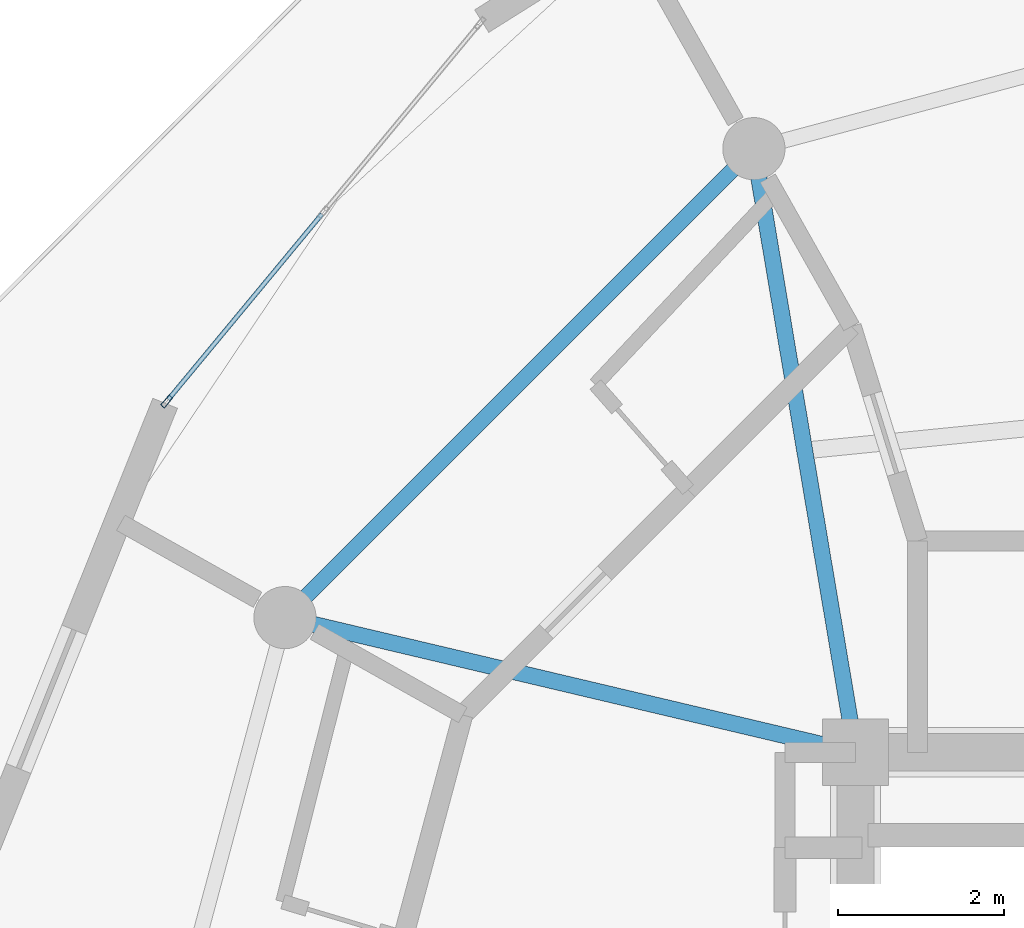
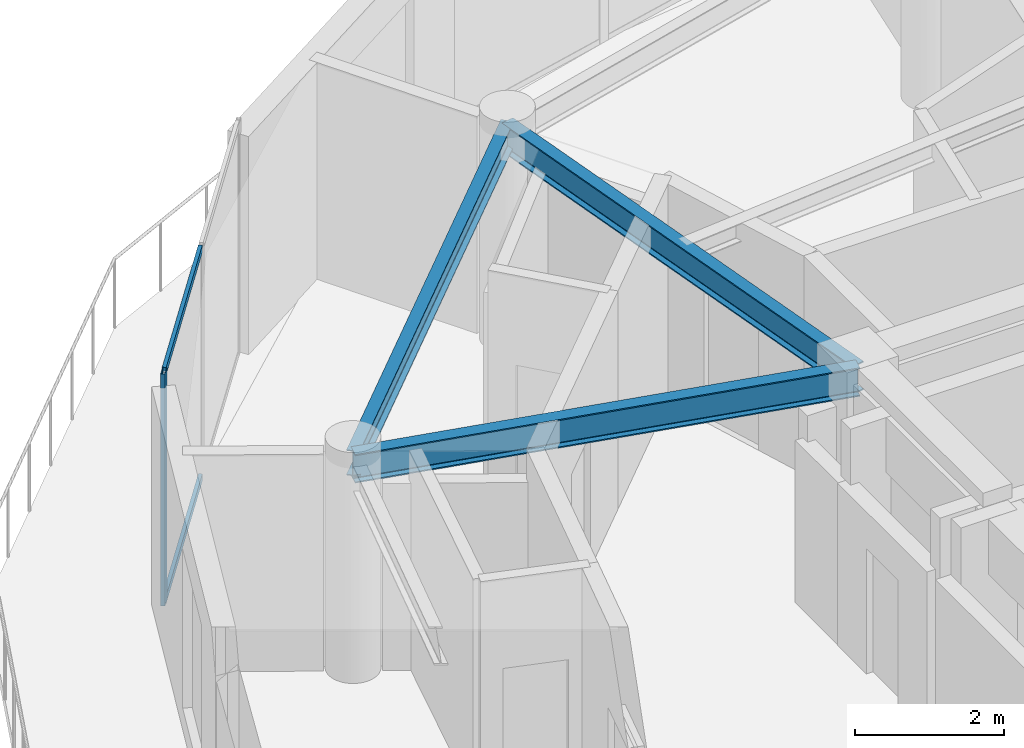
# One storey, part 6 of 19: 3 beams, 3 members, 1 element without a shape of its own.
"""IFC4 building model written with IfcOpenShell, lengths in metres."""

from ifc_helpers import new_model, si_unit, direction, frame, origin, origin_2d, place, context, subcontext, project, spatial, hollow_rectangle, i_section, extrude, source, transform, mapped, material, layer, layer_set, material_profile, profile_set, type_object, element, aggregate, save


model = new_model("IFC4")

# Units and contexts
model_context = context("Model", 3, precision=1e-05, world=origin(), true_north=direction((0.0, 1.0)))
body_context = subcontext(model_context, "Body", "Model", "MODEL_VIEW")
ifc_project = project(units=[si_unit("LENGTHUNIT", "METRE"), si_unit("AREAUNIT", "SQUARE_METRE"), si_unit("VOLUMEUNIT", "CUBIC_METRE"), si_unit("PLANEANGLEUNIT", "RADIAN"), si_unit("MASSUNIT", "GRAM", prefix="KILO")], contexts=[model_context])

# Site, building, storey
site_placement = place(None, origin())
site = spatial("IfcSite", under=ifc_project, at=site_placement, CompositionType="ELEMENT")
building_placement = place(site_placement, origin())
building = spatial("IfcBuilding", under=site, at=building_placement, Name="Solvirekh Grand Hotel", CompositionType="ELEMENT")
storey_placement = place(building_placement, frame((0.0, 0.0, 266.800048828125)))
storey = spatial("IfcBuildingStorey", under=building, at=storey_placement, Name="L69", CompositionType="ELEMENT", Elevation=266.800048828125)

# Beams
ifc_material_1 = material(Name="Steel S355", Category="steel")
ifc_material_profile_1 = material_profile(ifc_material_1, i_section(OverallWidth=0.194091796875, OverallDepth=0.468994140625, WebThickness=0.010986328125, FlangeThickness=0.01904296875, FilletRadius=0.012939453125, at=origin_2d()), Name="W460X106")
ifc_profile_set_1 = profile_set([ifc_material_profile_1], Name="Steel S355")
beam_type_1 = type_object("IfcBeamType", Name="Beam_Radial_W460H", PredefinedType="BEAM", material=ifc_profile_set_1)
beam_1_placement = place(storey_placement, frame((-6.5, 6.10009765625, 3.3349609375), z_axis=(-0.165954049106, 0.986133486697, 0.0), x_axis=(-0.986133486697, -0.165954049106, 0.0)))
element("IfcBeam", 1, at=beam_1_placement, inside=storey, type_object=beam_type_1, Name="L69 radial floor beam R05", PredefinedType="BEAM", context=body_context, shape_type="SweptSolid", body=[
    extrude(i_section(OverallWidth=0.194091796875, OverallDepth=0.468994140625, WebThickness=0.010986328125, FlangeThickness=0.01904296875, FilletRadius=0.012939453125, at=origin_2d()), origin(), (0.0, 0.0, 1.0), 7.382080078125),
])
beam_2_placement = place(storey_placement, frame((-6.5, 6.10009765625, 3.3349609375), z_axis=(-0.973221147544, 0.229870828888, 0.0), x_axis=(-0.229870828888, -0.973221147544, 0.0)))
element("IfcBeam", 2, at=beam_2_placement, inside=storey, type_object=beam_type_1, Name="L69 radial floor beam R06", PredefinedType="BEAM", context=body_context, shape_type="SweptSolid", body=[
    extrude(i_section(OverallWidth=0.194091796875, OverallDepth=0.468994140625, WebThickness=0.010986328125, FlangeThickness=0.01904296875, FilletRadius=0.012939453125, at=origin_2d()), origin(), (0.0, 0.0, 1.0), 7.069091796875),
])
ifc_material_profile_2 = material_profile(ifc_material_1, i_section(OverallWidth=0.180908203125, OverallDepth=0.4169921875, WebThickness=0.010009765625, FlangeThickness=0.01611328125, FilletRadius=0.011962890625, at=origin_2d()), Name="W410X85")
ifc_profile_set_2 = profile_set([ifc_material_profile_2], Name="Steel S355")
beam_type_2 = type_object("IfcBeamType", Name="Spandrel_Ring_W410", PredefinedType="SPANDREL", material=ifc_profile_set_2)
beam_3_placement = place(storey_placement, frame((-7.72509765625, 13.3798828125, 3.36083984375), z_axis=(-0.707106781187, -0.707106781187, 0.0), x_axis=(0.707106781187, -0.707106781187, 0.0)))
element("IfcBeam", 3, at=beam_3_placement, inside=storey, type_object=beam_type_2, Name="L69 perimeter spandrel beam 5", PredefinedType="SPANDREL", context=body_context, shape_type="SweptSolid", body=[
    extrude(i_section(OverallWidth=0.180908203125, OverallDepth=0.4169921875, WebThickness=0.010009765625, FlangeThickness=0.01611328125, FilletRadius=0.011962890625, at=origin_2d()), origin(), (0.0, 0.0, 1.0), 7.9970703125),
])

# Curtain wall, members
ifc_material_2 = material(Name="Anodized Bronze Aluminium 6063-T6", Category="aluminium")
ifc_layer = layer(ifc_material_2, 0.159912109375)
ifc_layer_set = layer_set([ifc_layer], Name="Anodized Bronze Aluminium 6063-T6")
curtain_wall_type = type_object("IfcCurtainWallType", Name="CW_Sys4_HighZoneFlushBronzeCW", PredefinedType="NOTDEFINED", material=ifc_layer_set)
curtain_wall_placement = place(storey_placement, origin())
curtain_wall = element("IfcCurtainWall", 4, at=curtain_wall_placement, inside=storey, type_object=curtain_wall_type, Name="L69 unitised bronze-glass curtain wall CW-L69-C13", PredefinedType="NOTDEFINED")
ifc_material_profile_3 = material_profile(ifc_material_2, hollow_rectangle(XDim=0.06005859375, YDim=0.159912109375, WallThickness=0.0048828125, at=origin_2d()), Name="ALU RHS 160X60X5")
ifc_profile_set_3 = profile_set([ifc_material_profile_3], Name="Anodized Bronze Aluminium 6063-T6")
member_type_1 = type_object("IfcMemberType", Name="CWMullion_Sys4", PredefinedType="MULLION", material=ifc_profile_set_3)
shared_shape_1 = source(origin(), body_context, "Body", "SweptSolid", [
    extrude(hollow_rectangle(XDim=0.06005859375, YDim=0.159912109375, WallThickness=0.0048828125, at=origin_2d()), origin(), (0.0, 0.0, 1.0), 3.800048828125),
])
member_1_placement = place(storey_placement, frame((-14.805908203125, 10.33203125, 0.0), z_axis=(0.0, 0.0, 1.0), x_axis=(0.770094261283, -0.637930112739, 0.0)))
member_1 = element("IfcMember", 5, at=member_1_placement, type_object=member_type_1, Name="U04 mullion 3", PredefinedType="MULLION", context=body_context, shape_type="MappedRepresentation", body=[
    mapped(shared_shape_1, transform((0.0, 0.0, 0.0), x_axis=(1.0, 0.0, 0.0), y_axis=(0.0, 1.0, 0.0), z_axis=(0.0, 0.0, 1.0), scale=1.0)),
])
ifc_material_profile_4 = material_profile(ifc_material_2, hollow_rectangle(XDim=0.054931640625, YDim=0.1201171875, WallThickness=0.00390625, at=origin_2d()), Name="ALU RHS 120X55X4")
ifc_profile_set_4 = profile_set([ifc_material_profile_4], Name="Anodized Bronze Aluminium 6063-T6")
member_type_2 = type_object("IfcMemberType", Name="CWTransom_Sys4", PredefinedType="USERDEFINED", material=ifc_profile_set_4)
shared_shape_2 = source(origin(), body_context, "Body", "SweptSolid", [
    extrude(hollow_rectangle(XDim=0.054931640625, YDim=0.1201171875, WallThickness=0.00390625, at=origin_2d()), origin(), (0.0, 0.0, 1.0), 2.90234375),
])
member_2_placement = place(storey_placement, frame((-12.93505859375, 12.59033203125, 0.02734375), z_axis=(-0.637939485719, -0.770086496804, 0.0), x_axis=(0.770086496804, -0.637939485719, 0.0)))
member_2 = element("IfcMember", 6, at=member_2_placement, type_object=member_type_2, Name="U04 transom 2.1", ObjectType="TRANSOM", PredefinedType="USERDEFINED", context=body_context, shape_type="MappedRepresentation", body=[
    mapped(shared_shape_2, transform((0.0, 0.0, 0.0), x_axis=(1.0, 0.0, 0.0), y_axis=(0.0, 1.0, 0.0), z_axis=(0.0, 0.0, 1.0), scale=1.0)),
])
member_3_placement = place(storey_placement, frame((-12.93505859375, 12.59033203125, 3.7724609375), z_axis=(-0.637939485719, -0.770086496804, 0.0), x_axis=(0.770086496804, -0.637939485719, 0.0)))
member_3 = element("IfcMember", 7, at=member_3_placement, type_object=member_type_2, Name="U04 transom 2.2", ObjectType="TRANSOM", PredefinedType="USERDEFINED", context=body_context, shape_type="MappedRepresentation", body=[
    mapped(shared_shape_2, transform((0.0, 0.0, 0.0), x_axis=(1.0, 0.0, 0.0), y_axis=(0.0, 1.0, 0.0), z_axis=(0.0, 0.0, 1.0), scale=1.0)),
])
aggregate(curtain_wall, [member_1, member_2, member_3])

save(model, "model.ifc")
